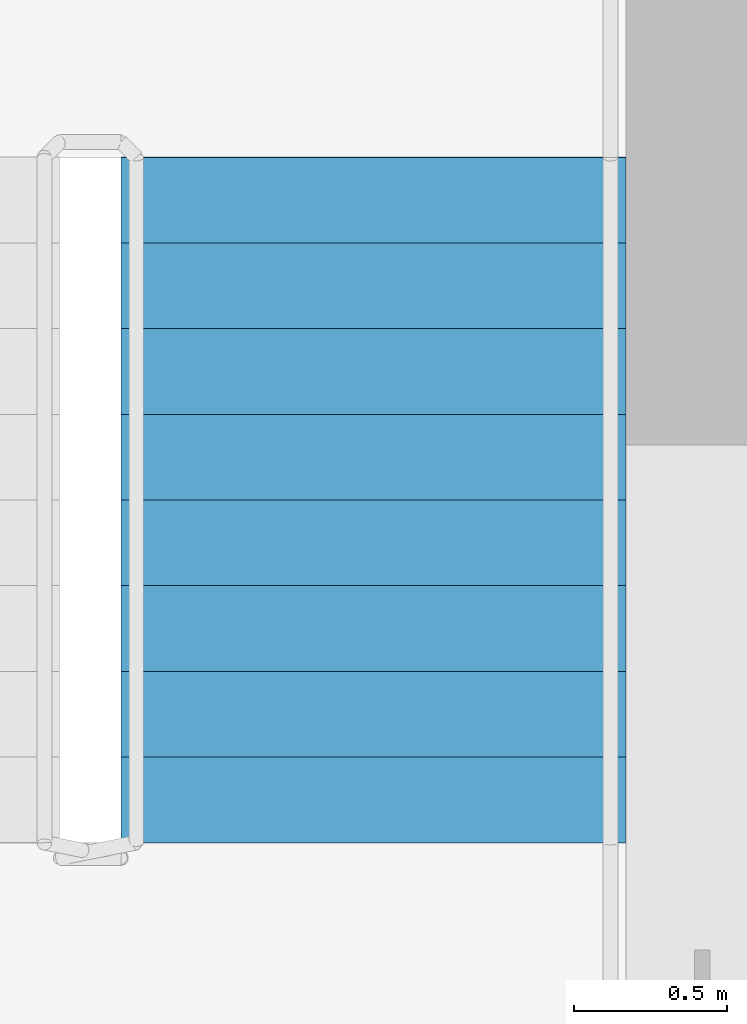
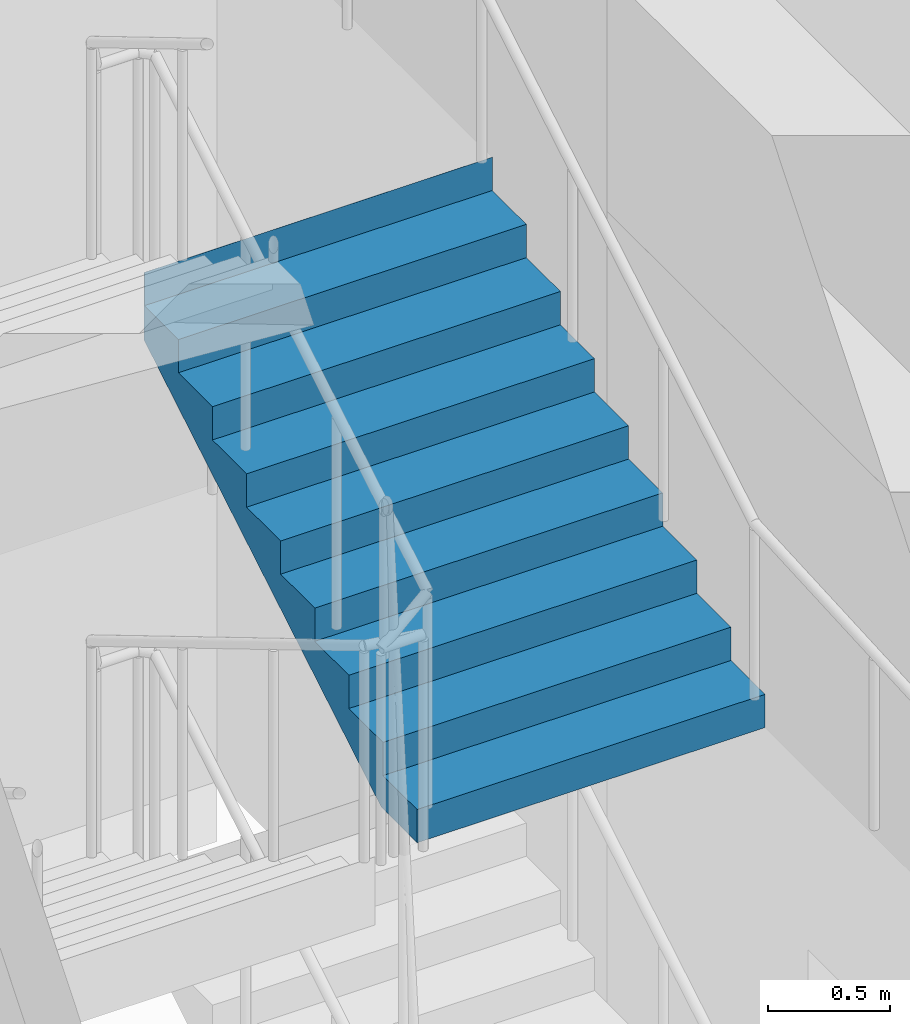
# One storey, part 19 of 23: 1 stair flight, 1 element without a shape of its own.
"""IFC4 building model written with IfcOpenShell, lengths in metres."""

from ifc_helpers import new_model, si_unit, direction, frame, origin, place, context, subcontext, project, spatial, polyline, outline, extrude, material, type_object, element, aggregate, save


model = new_model("IFC4")

# Units and contexts
model_context = context("Model", 3, precision=1e-05, world=origin(), true_north=direction((0.0, 1.0)))
body_context = subcontext(model_context, "Body", "Model", "MODEL_VIEW")
ifc_project = project(units=[si_unit("LENGTHUNIT", "METRE"), si_unit("AREAUNIT", "SQUARE_METRE"), si_unit("VOLUMEUNIT", "CUBIC_METRE"), si_unit("PLANEANGLEUNIT", "RADIAN"), si_unit("MASSUNIT", "GRAM", prefix="KILO")], contexts=[model_context])

# Site, building, storey
site_placement = place(None, origin())
site = spatial("IfcSite", under=ifc_project, at=site_placement, CompositionType="ELEMENT")
building_placement = place(site_placement, origin())
building = spatial("IfcBuilding", under=site, at=building_placement, Name="Tamorin Gate", CompositionType="ELEMENT")
storey_placement = place(building_placement, frame((0.0, 0.0, 124.199951171875)))
storey = spatial("IfcBuildingStorey", under=building, at=storey_placement, Name="L30", CompositionType="ELEMENT", Elevation=124.199951171875)

# Stair, stair flight
ifc_material = material(Name="Concrete C40/50", Category="concrete")
stair_type = type_object("IfcStairType", Name="Exit stair", PredefinedType="HALF_TURN_STAIR", material=ifc_material)
stair_placement = place(storey_placement, origin())
stair = element("IfcStair", 1, at=stair_placement, inside=storey, type_object=stair_type, Name="L30 stair ST2", PredefinedType="HALF_TURN_STAIR")
stair_flight_type = type_object("IfcStairFlightType", Name="Exit stair flight", PredefinedType="STRAIGHT", material=ifc_material)
stair_flight_placement = place(storey_placement, frame((33.675048828125, 77.0, 3.0), z_axis=(0.0, 0.0, 1.0), x_axis=(0.0, 1.0, 0.0)))
stair_flight = element("IfcStairFlight", 2, at=stair_flight_placement, type_object=stair_flight_type, Name="ST2 flight 3", NumberOfRisers=9, NumberOfTreads=8, PredefinedType="STRAIGHT", RiserHeight=0.166666667, TreadLength=0.28, context=body_context, shape_type="SweptSolid", body=[
    extrude(outline(polyline([(-0.00048828125, 0.0), (-0.00048828125, 0.001708984375), (-0.00048828125, 0.00341796875), (-0.00048828125, 0.0048828125), (-0.00048828125, 0.006591796875), (-0.00048828125, 0.00830078125), (-0.00048828125, 0.010009765625), (-0.00048828125, 0.011474609375), (-0.00048828125, 0.01318359375), (-0.00048828125, 0.014892578125), (-0.00048828125, 0.0166015625), (-0.00048828125, 0.01806640625), (-0.00048828125, 0.019775390625), (-0.00048828125, 0.021484375), (-0.00048828125, 0.023193359375), (-0.00048828125, 0.024658203125), (-0.00048828125, 0.0263671875), (-0.00048828125, 0.028076171875), (-0.00048828125, 0.02978515625), (-0.00048828125, 0.03125), (-0.00048828125, 0.032958984375), (-0.00048828125, 0.03466796875), (-0.00048828125, 0.036376953125), (-0.00048828125, 0.037841796875), (-0.00048828125, 0.03955078125), (-0.00048828125, 0.041259765625), (-0.00048828125, 0.04296875), (-0.00048828125, 0.04443359375), (-0.00048828125, 0.046142578125), (-0.00048828125, 0.0478515625), (-0.00048828125, 0.049560546875), (-0.00048828125, 0.05126953125), (-0.00048828125, 0.052734375), (-0.00048828125, 0.054443359375), (-0.00048828125, 0.05615234375), (-0.00048828125, 0.057861328125), (-0.00048828125, 0.059326171875), (-0.00048828125, 0.06103515625), (-0.00048828125, 0.062744140625), (-0.00048828125, 0.064453125), (-0.00048828125, 0.06591796875), (-0.00048828125, 0.067626953125), (-0.00048828125, 0.0693359375), (-0.00048828125, 0.071044921875), (-0.00048828125, 0.072509765625), (-0.00048828125, 0.07421875), (-0.00048828125, 0.075927734375), (-0.00048828125, 0.07763671875), (-0.00048828125, 0.0791015625), (-0.00048828125, 0.080810546875), (-0.00048828125, 0.08251953125), (-0.00048828125, 0.084228515625), (-0.00048828125, 0.085693359375), (-0.00048828125, 0.08740234375), (-0.00048828125, 0.089111328125), (-0.00048828125, 0.0908203125), (-0.00048828125, 0.092529296875), (-0.00048828125, 0.093994140625), (-0.00048828125, 0.095703125), (-0.00048828125, 0.097412109375), (-0.00048828125, 0.09912109375), (-0.00048828125, 0.1005859375), (-0.00048828125, 0.102294921875), (-0.00048828125, 0.10400390625), (-0.00048828125, 0.105712890625), (-0.00048828125, 0.107177734375), (-0.00048828125, 0.10888671875), (-0.00048828125, 0.110595703125), (-0.00048828125, 0.1123046875), (-0.00048828125, 0.11376953125), (-0.00048828125, 0.115478515625), (-0.00048828125, 0.1171875), (-0.00048828125, 0.118896484375), (-0.00048828125, 0.120361328125), (-0.00048828125, 0.1220703125), (-0.00048828125, 0.123779296875), (-0.00048828125, 0.12548828125), (-0.00048828125, 0.126953125), (-0.00048828125, 0.128662109375), (-0.00048828125, 0.13037109375), (-0.00048828125, 0.132080078125), (-0.00048828125, 0.133544921875), (-0.00048828125, 0.13525390625), (-0.00048828125, 0.136962890625), (-0.00048828125, 0.138671875), (-0.00048828125, 0.140380859375), (-0.00048828125, 0.141845703125), (-0.00048828125, 0.1435546875), (-0.00048828125, 0.145263671875), (-0.00048828125, 0.14697265625), (-0.00048828125, 0.1484375), (-0.00048828125, 0.150146484375), (-0.00048828125, 0.15185546875), (-0.00048828125, 0.153564453125), (-0.00048828125, 0.155029296875), (-0.00048828125, 0.15673828125), (-0.00048828125, 0.158447265625), (-0.00048828125, 0.16015625), (-0.00048828125, 0.16162109375), (-0.00048828125, 0.163330078125), (-0.00048828125, 0.1650390625), (-0.00048828125, 0.166748046875), (0.280029296875, 0.166748046875), (0.280029296875, 0.333251953125), (0.56005859375, 0.333251953125), (0.56005859375, 0.5), (0.840087890625, 0.5), (0.840087890625, 0.666748046875), (1.1201171875, 0.666748046875), (1.1201171875, 0.833251953125), (1.39990234375, 0.833251953125), (1.39990234375, 1.0), (1.679931640625, 1.0), (1.679931640625, 1.166748046875), (1.9599609375, 1.166748046875), (1.9599609375, 1.333251953125), (2.239990234375, 1.333251953125), (2.239990234375, 1.5), (2.240478515625, 1.5), (2.240478515625, 1.49658203125), (2.240478515625, 1.4931640625), (2.240478515625, 1.48974609375), (2.240478515625, 1.486572265625), (2.240478515625, 1.483154296875), (2.240478515625, 1.479736328125), (2.240478515625, 1.476318359375), (2.240478515625, 1.472900390625), (2.240478515625, 1.469482421875), (2.240478515625, 1.46630859375), (2.240478515625, 1.462890625), (2.240478515625, 1.45947265625), (2.240478515625, 1.4560546875), (2.240478515625, 1.45263671875), (2.240478515625, 1.44921875), (2.240478515625, 1.446044921875), (2.240478515625, 1.442626953125), (2.240478515625, 1.439208984375), (2.240478515625, 1.435791015625), (2.240478515625, 1.432373046875), (2.240478515625, 1.428955078125), (2.240478515625, 1.42578125), (2.240478515625, 1.42236328125), (2.240478515625, 1.4189453125), (2.240478515625, 1.41552734375), (2.240478515625, 1.412109375), (2.240478515625, 1.40869140625), (2.240478515625, 1.405517578125), (2.240478515625, 1.402099609375), (2.240478515625, 1.398681640625), (2.240478515625, 1.395263671875), (2.240478515625, 1.391845703125), (2.240478515625, 1.388427734375), (2.240478515625, 1.38525390625), (2.240478515625, 1.3818359375), (2.240478515625, 1.37841796875), (2.240478515625, 1.375), (2.240478515625, 1.37158203125), (2.240478515625, 1.3681640625), (2.240478515625, 1.364990234375), (2.240478515625, 1.361572265625), (2.240478515625, 1.358154296875), (2.240478515625, 1.354736328125), (2.240478515625, 1.351318359375), (2.240478515625, 1.347900390625), (2.240478515625, 1.3447265625), (2.240478515625, 1.34130859375), (2.240478515625, 1.337890625), (2.240478515625, 1.33447265625), (2.240478515625, 1.3310546875), (2.240478515625, 1.32763671875), (2.240478515625, 1.324462890625), (2.240478515625, 1.321044921875), (2.240478515625, 1.317626953125), (2.240478515625, 1.314208984375), (2.240478515625, 1.310791015625), (2.240478515625, 1.307373046875), (2.240478515625, 1.30419921875), (2.240478515625, 1.30078125), (2.240478515625, 1.29736328125), (2.240478515625, 1.2939453125), (2.240478515625, 1.29052734375), (2.240478515625, 1.287109375), (2.240478515625, 1.283935546875), (2.240478515625, 1.280517578125), (2.240478515625, 1.277099609375), (2.240478515625, 1.273681640625), (2.240478515625, 1.270263671875), (2.240478515625, 1.266845703125), (2.240478515625, 1.263671875), (2.240478515625, 1.26025390625), (2.240478515625, 1.2568359375), (2.240478515625, 1.25341796875), (2.240478515625, 1.25), (2.240478515625, 1.24658203125), (2.240478515625, 1.243408203125), (2.240478515625, 1.239990234375), (2.240478515625, 1.236572265625), (2.240478515625, 1.233154296875), (2.240478515625, 1.229736328125), (2.240478515625, 1.226318359375), (2.240478515625, 1.22314453125), (2.240478515625, 1.2197265625), (2.240478515625, 1.21630859375), (2.240478515625, 1.212890625), (2.240478515625, 1.20947265625), (2.240478515625, 1.2060546875), (2.240478515625, 1.202880859375), (2.240478515625, 1.199462890625), (2.240478515625, 1.196044921875), (2.240478515625, 1.192626953125), (2.240478515625, 1.189208984375), (2.240478515625, 1.185791015625), (2.240478515625, 1.1826171875), (2.240478515625, 1.17919921875), (2.240478515625, 1.17578125), (2.240478515625, 1.17236328125), (2.240478515625, 1.1689453125), (2.240478515625, 1.16552734375), (2.240478515625, 1.162353515625), (2.240478515625, 1.158935546875), (2.239990234375, 1.158935546875), (0.29296875, 0.0), (-0.00048828125, 0.0)])), frame((0.0, 0.824951171875, 0.0), z_axis=(0.0, -1.0, 0.0), x_axis=(1.0, 0.0, 0.0)), (0.0, 0.0, 1.0), 1.64990234375),
])
aggregate(stair, [stair_flight])

save(model, "model.ifc")
